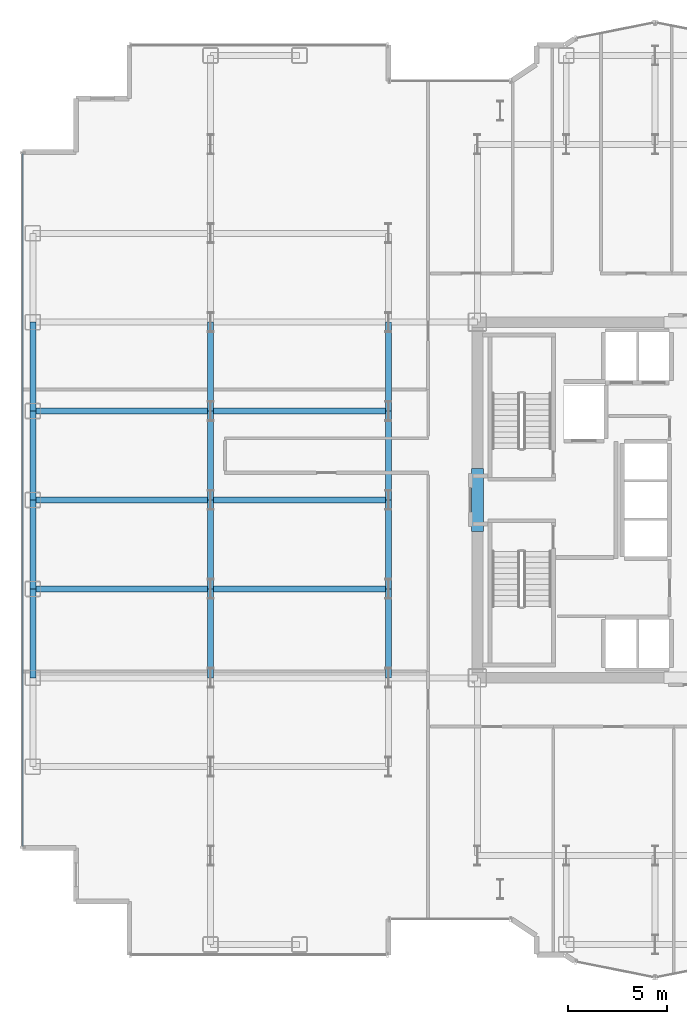
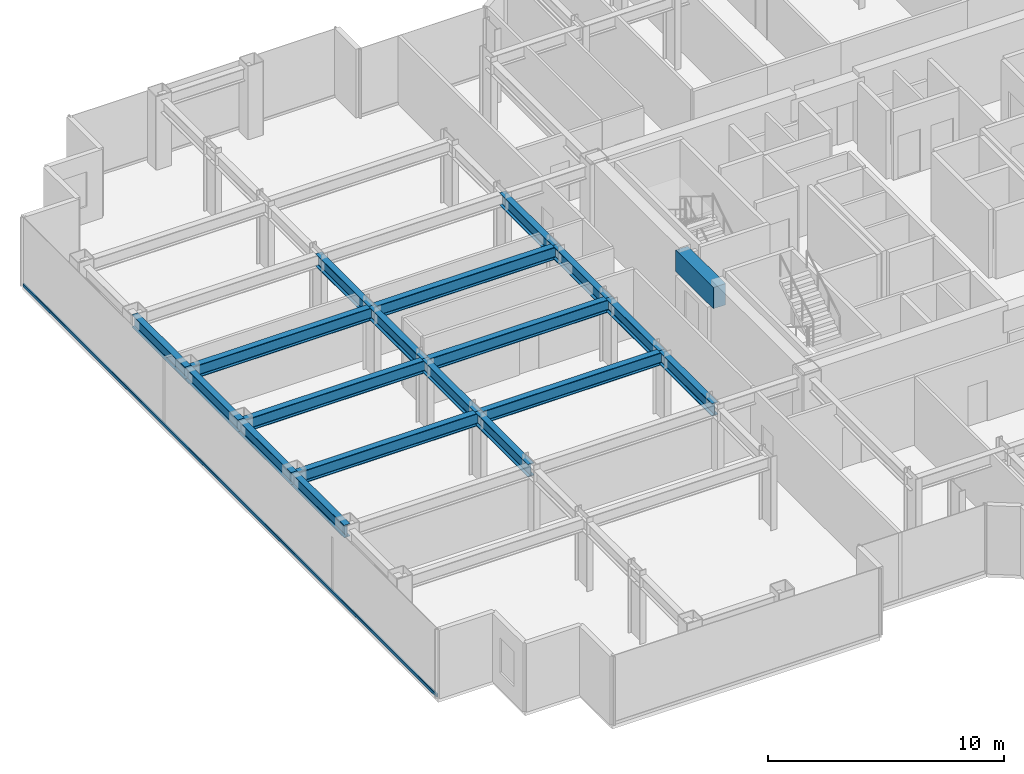
# One storey, part 5 of 26: 19 beams, 1 member, 1 element without a shape of its own.
"""IFC4 building model written with IfcOpenShell, lengths in metres."""

from ifc_helpers import new_model, si_unit, direction, frame, origin, origin_2d, place, context, subcontext, project, spatial, rectangle, hollow_rectangle, i_section, extrude, source, transform, mapped, material, layer, layer_set, material_profile, profile_set, type_object, element, aggregate, save


model = new_model("IFC4")

# Units and contexts
model_context = context("Model", 3, precision=1e-05, world=origin(), true_north=direction((0.0, 1.0)))
body_context = subcontext(model_context, "Body", "Model", "MODEL_VIEW")
ifc_project = project(units=[si_unit("LENGTHUNIT", "METRE"), si_unit("AREAUNIT", "SQUARE_METRE"), si_unit("VOLUMEUNIT", "CUBIC_METRE"), si_unit("PLANEANGLEUNIT", "RADIAN"), si_unit("MASSUNIT", "GRAM", prefix="KILO")], contexts=[model_context])

# Site, building, storey
site_placement = place(None, origin())
site = spatial("IfcSite", under=ifc_project, at=site_placement, CompositionType="ELEMENT")
building_placement = place(site_placement, origin())
building = spatial("IfcBuilding", under=site, at=building_placement, Name="Nefas-Gora Pilgrimage Tower", CompositionType="ELEMENT")
storey_placement = place(building_placement, frame((0.0, 0.0, 128.800048828125)))
storey = spatial("IfcBuildingStorey", under=building, at=storey_placement, Name="L31", CompositionType="ELEMENT", Elevation=128.800048828125)

# Beams
ifc_material_1 = material(Name="Concrete C60/75", Category="concrete")
ifc_material_profile_1 = material_profile(ifc_material_1, rectangle(XDim=0.60009765625, YDim=1.10009765625, at=origin_2d()), Name="RC 600x1100")
ifc_profile_set_1 = profile_set([ifc_material_profile_1], Name="Concrete C60/75")
beam_type_1 = type_object("IfcBeamType", Name="BM-LIN-RC1100", PredefinedType="LINTEL", material=ifc_profile_set_1)
shared_shape_1 = source(origin(), body_context, "Body", "SweptSolid", [
    extrude(rectangle(XDim=0.60009765625, YDim=1.10009765625, at=origin_2d()), origin(), (0.0, 0.0, 1.0), 3.2001953125),
])
beam_placement = place(storey_placement, frame((-11.25, -1.60009765625, 3.0), z_axis=(0.0, 1.0, 0.0), x_axis=(-1.0, 0.0, 0.0)))
element("IfcBeam", 1, at=beam_placement, inside=storey, type_object=beam_type_1, Name="L31 Core Coupling Lintel Beam W", PredefinedType="LINTEL", context=body_context, shape_type="MappedRepresentation", body=[
    mapped(shared_shape_1, transform((0.0, 0.0, 0.0), x_axis=(1.0, 0.0, 0.0), y_axis=(0.0, 1.0, 0.0), z_axis=(0.0, 0.0, 1.0), scale=1.0)),
])
ifc_material_2 = material(Name="Steel S355", Category="steel")
ifc_material_profile_2 = material_profile(ifc_material_2, i_section(OverallWidth=0.300048828125, OverallDepth=0.64990234375, WebThickness=0.01611328125, FlangeThickness=0.031005859375, FilletRadius=0.027099609375, at=origin_2d()), Name="HEB 650")
ifc_profile_set_2 = profile_set([ifc_material_profile_2], Name="Steel S355")
beam_type_2 = type_object("IfcBeamType", Name="BM-SPN-HEB500", PredefinedType="SPANDREL", material=ifc_profile_set_2)
shared_shape_2 = source(origin(), body_context, "Body", "SweptSolid", [
    extrude(i_section(OverallWidth=0.300048828125, OverallDepth=0.64990234375, WebThickness=0.01611328125, FlangeThickness=0.031005859375, FilletRadius=0.027099609375, at=origin_2d()), origin(), (0.0, 0.0, 1.0), 4.5),
])
for number, where, z_axis, x_axis, name in (
    (2, (-33.75, -9.0, 3.224853515625), (0.0, 1.0, 0.0), (-1.0, 0.0, 0.0), "L31 SP-02 beam"),
    (3, (-33.75, -4.5, 3.224853515625), (0.0, 1.0, 0.0), (-1.0, 0.0, 0.0), "L31 SP-02 beam"),
    (4, (-33.75, 0.0, 3.224853515625), (0.0, 1.0, 0.0), (-1.0, 0.0, 0.0), "L31 SP-02 beam"),
    (5, (-33.75, 4.5, 3.224853515625), (0.0, 1.0, 0.0), (-1.0, 0.0, 0.0), "L31 SP-02 beam"),
):
    element("IfcBeam", number, at=place(storey_placement, frame(where, z_axis=z_axis, x_axis=x_axis)), inside=storey, type_object=beam_type_2, Name=name, PredefinedType="SPANDREL", context=body_context, shape_type="MappedRepresentation", body=[
        mapped(shared_shape_2, transform((0.0, 0.0, 0.0), x_axis=(1.0, 0.0, 0.0), y_axis=(0.0, 1.0, 0.0), z_axis=(0.0, 0.0, 1.0), scale=1.0)),
    ])
ifc_material_profile_3 = material_profile(ifc_material_2, i_section(OverallWidth=0.300048828125, OverallDepth=0.64990234375, WebThickness=0.01611328125, FlangeThickness=0.031005859375, FilletRadius=0.027099609375, at=origin_2d()), Name="HEB 650")
ifc_profile_set_3 = profile_set([ifc_material_profile_3], Name="Steel S355")
beam_type_3 = type_object("IfcBeamType", Name="BM-GIR-HEB650", PredefinedType="BEAM", material=ifc_profile_set_3)
shared_shape_3 = source(origin(), body_context, "Body", "SweptSolid", [
    extrude(i_section(OverallWidth=0.300048828125, OverallDepth=0.64990234375, WebThickness=0.01611328125, FlangeThickness=0.031005859375, FilletRadius=0.027099609375, at=origin_2d()), origin(), (0.0, 0.0, 1.0), 9.0),
])
for number, where, z_axis, x_axis, name in (
    (6, (-33.75, -4.5, 3.224853515625), (1.0, 0.0, 0.0), (0.0, 1.0, 0.0), "L31 G-03 beam"),
    (7, (-33.75, 0.0, 3.224853515625), (1.0, 0.0, 0.0), (0.0, 1.0, 0.0), "L31 G-03 beam"),
    (8, (-33.75, 4.5, 3.224853515625), (1.0, 0.0, 0.0), (0.0, 1.0, 0.0), "L31 G-03 beam"),
    (9, (-24.75, -4.5, 3.224853515625), (1.0, 0.0, 0.0), (0.0, 1.0, 0.0), "L31 G-03 beam"),
    (10, (-24.75, 0.0, 3.224853515625), (1.0, 0.0, 0.0), (0.0, 1.0, 0.0), "L31 G-03 beam"),
    (11, (-24.75, 4.5, 3.224853515625), (1.0, 0.0, 0.0), (0.0, 1.0, 0.0), "L31 G-03 beam"),
):
    element("IfcBeam", number, at=place(storey_placement, frame(where, z_axis=z_axis, x_axis=x_axis)), inside=storey, type_object=beam_type_3, Name=name, PredefinedType="BEAM", context=body_context, shape_type="MappedRepresentation", body=[
        mapped(shared_shape_3, transform((0.0, 0.0, 0.0), x_axis=(1.0, 0.0, 0.0), y_axis=(0.0, 1.0, 0.0), z_axis=(0.0, 0.0, 1.0), scale=1.0)),
    ])
shared_shape_4 = source(origin(), body_context, "Body", "SweptSolid", [
    extrude(i_section(OverallWidth=0.300048828125, OverallDepth=0.64990234375, WebThickness=0.01611328125, FlangeThickness=0.031005859375, FilletRadius=0.027099609375, at=origin_2d()), origin(), (0.0, 0.0, 1.0), 4.5),
])
for number, where, z_axis, x_axis, name in (
    (12, (-24.75, -9.0, 3.224853515625), (0.0, 1.0, 0.0), (-1.0, 0.0, 0.0), "L31 G-03 beam"),
    (13, (-24.75, -4.5, 3.224853515625), (0.0, 1.0, 0.0), (-1.0, 0.0, 0.0), "L31 G-03 beam"),
    (14, (-24.75, 0.0, 3.224853515625), (0.0, 1.0, 0.0), (-1.0, 0.0, 0.0), "L31 G-03 beam"),
    (15, (-24.75, 4.5, 3.224853515625), (0.0, 1.0, 0.0), (-1.0, 0.0, 0.0), "L31 G-03 beam"),
    (16, (-15.75, -9.0, 3.224853515625), (0.0, 1.0, 0.0), (-1.0, 0.0, 0.0), "L31 G-03 beam"),
    (17, (-15.75, -4.5, 3.224853515625), (0.0, 1.0, 0.0), (-1.0, 0.0, 0.0), "L31 G-03 beam"),
    (18, (-15.75, 0.0, 3.224853515625), (0.0, 1.0, 0.0), (-1.0, 0.0, 0.0), "L31 G-03 beam"),
    (19, (-15.75, 4.5, 3.224853515625), (0.0, 1.0, 0.0), (-1.0, 0.0, 0.0), "L31 G-03 beam"),
):
    element("IfcBeam", number, at=place(storey_placement, frame(where, z_axis=z_axis, x_axis=x_axis)), inside=storey, type_object=beam_type_3, Name=name, PredefinedType="BEAM", context=body_context, shape_type="MappedRepresentation", body=[
        mapped(shared_shape_4, transform((0.0, 0.0, 0.0), x_axis=(1.0, 0.0, 0.0), y_axis=(0.0, 1.0, 0.0), z_axis=(0.0, 0.0, 1.0), scale=1.0)),
    ])

# Curtain wall, member
ifc_material_3 = material(Name="Dark ceramic-fritted solar-control aluminium-glass curtain wall", Category="aluminium")
ifc_layer = layer(ifc_material_3, 0.219970703125)
ifc_layer_set = layer_set([ifc_layer], Name="Dark ceramic-fritted solar-control aluminium-glass curtain wall")
curtain_wall_type = type_object("IfcCurtainWallType", Name="CW-SYS-2", PredefinedType="NOTDEFINED", material=ifc_layer_set)
curtain_wall_placement = place(storey_placement, origin())
curtain_wall = element("IfcCurtainWall", 20, at=curtain_wall_placement, inside=storey, type_object=curtain_wall_type, Name="L31 Unitised Curtain Wall CW2", PredefinedType="NOTDEFINED")
ifc_material_4 = material(Name="Anodised architectural aluminium", Category="aluminium")
ifc_material_profile_4 = material_profile(ifc_material_4, hollow_rectangle(XDim=0.080078125, YDim=0.159912109375, WallThickness=0.00439453125, InnerFilletRadius=0.00439453125, OuterFilletRadius=0.009033203125, at=origin_2d()), Name="ALU TRANSOM 80x160")
ifc_profile_set_4 = profile_set([ifc_material_profile_4], Name="Anodised architectural aluminium")
member_type = type_object("IfcMemberType", Name="CWM-TRN-2", PredefinedType="USERDEFINED", material=ifc_profile_set_4)
shared_shape_5 = source(origin(), body_context, "Body", "SweptSolid", [
    extrude(hollow_rectangle(XDim=0.080078125, YDim=0.159912109375, WallThickness=0.00439453125, InnerFilletRadius=0.00439453125, OuterFilletRadius=0.009033203125, at=origin_2d()), origin(), (0.0, 0.0, 1.0), 35.06005859375),
])
member_placement = place(storey_placement, frame((-34.27001953125, 17.530029296875, 0.050048828125), z_axis=(0.0, -1.0, 0.0), x_axis=(1.0, 0.0, 0.0)))
member = element("IfcMember", 21, at=member_placement, type_object=member_type, Name="CW2 Spandrel Transom", ObjectType="TRANSOM", PredefinedType="USERDEFINED", context=body_context, shape_type="MappedRepresentation", body=[
    mapped(shared_shape_5, transform((0.0, 0.0, 0.0), x_axis=(1.0, 0.0, 0.0), y_axis=(0.0, 1.0, 0.0), z_axis=(0.0, 0.0, 1.0), scale=1.0)),
])
aggregate(curtain_wall, [member])

save(model, "model.ifc")
